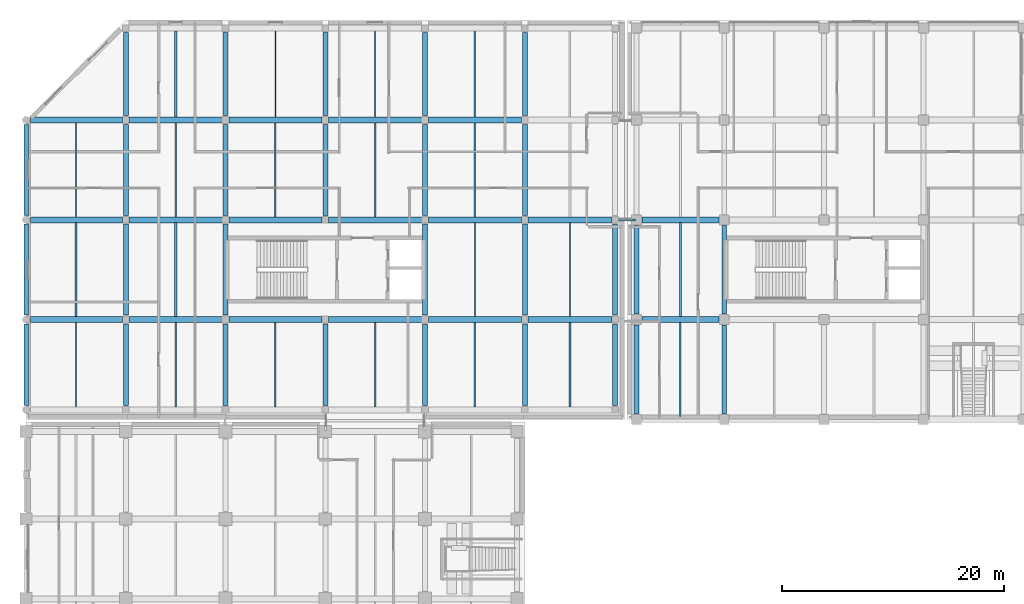
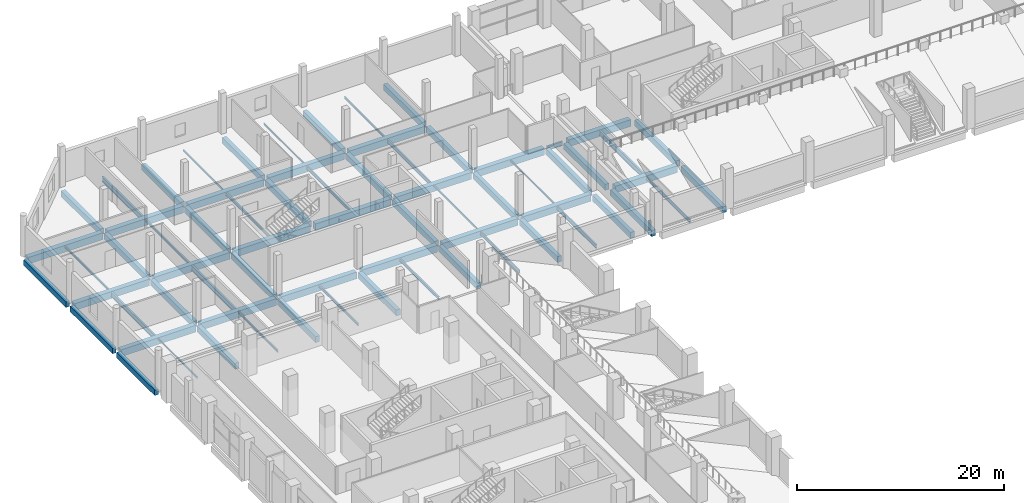
# One storey, part 28 of 100: 69 beams.
"""IFC4 building model written with IfcOpenShell, lengths in metres."""

from ifc_helpers import new_model, si_unit, direction, frame, origin, origin_2d, place, context, subcontext, project, spatial, rectangle, hollow_rectangle, i_section, extrude, material, material_profile, profile_set, type_object, element, save


model = new_model("IFC4")

# Units and contexts
model_context = context("Model", 3, precision=1e-05, world=origin(), true_north=direction((0.0, 1.0)))
body_context = subcontext(model_context, "Body", "Model", "MODEL_VIEW")
ifc_project = project(units=[si_unit("LENGTHUNIT", "METRE"), si_unit("AREAUNIT", "SQUARE_METRE"), si_unit("VOLUMEUNIT", "CUBIC_METRE"), si_unit("PLANEANGLEUNIT", "RADIAN"), si_unit("MASSUNIT", "GRAM", prefix="KILO"), si_unit("THERMODYNAMICTEMPERATUREUNIT", "KELVIN"), si_unit("POWERUNIT", "WATT")], contexts=[model_context])

# Site, building, storey
site_placement = place(None, origin())
site = spatial("IfcSite", under=ifc_project, at=site_placement, CompositionType="ELEMENT")
building_placement = place(site_placement, origin())
building = spatial("IfcBuilding", under=site, at=building_placement, Name="Sindhuravela Promenade Stadium", CompositionType="ELEMENT")
storey_placement = place(building_placement, frame((0.0, 0.0, 4.800048828125)))
storey = spatial("IfcBuildingStorey", under=building, at=storey_placement, Name="L01", CompositionType="ELEMENT", Elevation=4.800048828125)

# Beams
ifc_material_1 = material(Name="Concrete M40", Category="concrete")
ifc_material_profile_1 = material_profile(ifc_material_1, rectangle(XDim=0.39990234375, YDim=0.64990234375, at=origin_2d()), Name="RC 400x650")
ifc_profile_set_1 = profile_set([ifc_material_profile_1], Name="Concrete M40")
beam_type_1 = type_object("IfcBeamType", Name="RC-BM-400x650", PredefinedType="SPANDREL", material=ifc_profile_set_1)
beam_1_placement = place(storey_placement, frame((0.0, 127.239990234375, -0.625), z_axis=(0.0, 1.0, 0.0), x_axis=(-1.0, 0.0, 0.0)))
element("IfcBeam", 1, at=beam_1_placement, inside=storey, type_object=beam_type_1, Name="Primary beam SP01 Pavilion NW L01", PredefinedType="SPANDREL", context=body_context, shape_type="SweptSolid", body=[
    extrude(rectangle(XDim=0.39990234375, YDim=0.64990234375, at=origin_2d()), origin(), (0.0, 0.0, 1.0), 7.3701171875),
])
for number, where, z_axis, x_axis, name in (
    (2, (0.0, 135.389892578125, -0.625), (0.0, 1.0, 0.0), (-1.0, 0.0, 0.0), "Primary beam SP01 Pavilion NW L01"),
    (3, (0.0, 144.389892578125, -0.625), (0.0, 1.0, 0.0), (-1.0, 0.0, 0.0), "Primary beam SP01 Pavilion NW L01"),
):
    element("IfcBeam", number, at=place(storey_placement, frame(where, z_axis=z_axis, x_axis=x_axis)), inside=storey, type_object=beam_type_1, Name=name, PredefinedType="SPANDREL", context=body_context, shape_type="SweptSolid", body=[
        extrude(rectangle(XDim=0.39990234375, YDim=0.64990234375, at=origin_2d()), origin(), (0.0, 0.0, 1.0), 8.22021484375),
    ])
ifc_material_profile_2 = material_profile(ifc_material_1, rectangle(XDim=0.449951171875, YDim=0.699951171875, at=origin_2d()), Name="RC 450x700")
ifc_profile_set_2 = profile_set([ifc_material_profile_2], Name="Concrete M40")
beam_type_2 = type_object("IfcBeamType", Name="RC-BM-450x700", PredefinedType="BEAM", material=ifc_profile_set_2)
for number, where, z_axis, x_axis, name in (
    (4, (55.10009765625, 126.489990234375, -0.650146484375), (0.0, 1.0, 0.0), (-1.0, 0.0, 0.0), "Primary beam GB07 NORTH L01"),
    (5, (55.10009765625, 135.489990234375, -0.650146484375), (0.0, 1.0, 0.0), (-1.0, 0.0, 0.0), "Primary beam GB07 NORTH L01"),
    (6, (63.0, 126.489990234375, -0.650146484375), (0.0, 1.0, 0.0), (-1.0, 0.0, 0.0), "Primary beam GB07 NORTH L01"),
    (7, (63.0, 135.489990234375, -0.650146484375), (0.0, 1.0, 0.0), (-1.0, 0.0, 0.0), "Primary beam GB07 NORTH L01"),
):
    element("IfcBeam", number, at=place(storey_placement, frame(where, z_axis=z_axis, x_axis=x_axis)), inside=storey, type_object=beam_type_2, Name=name, PredefinedType="BEAM", context=body_context, shape_type="SweptSolid", body=[
        extrude(rectangle(XDim=0.449951171875, YDim=0.699951171875, at=origin_2d()), origin(), (0.0, 0.0, 1.0), 8.02001953125),
    ])
beam_2_placement = place(storey_placement, frame((9.0, 127.239990234375, -0.650146484375), z_axis=(0.0, 1.0, 0.0), x_axis=(-1.0, 0.0, 0.0)))
element("IfcBeam", 8, at=beam_2_placement, inside=storey, type_object=beam_type_2, Name="Primary beam GB07 Pavilion NW L01", PredefinedType="BEAM", context=body_context, shape_type="SweptSolid", body=[
    extrude(rectangle(XDim=0.449951171875, YDim=0.699951171875, at=origin_2d()), origin(), (0.0, 0.0, 1.0), 7.3701171875),
])
for number, where, z_axis, x_axis, name in (
    (9, (9.0, 135.389892578125, -0.650146484375), (0.0, 1.0, 0.0), (-1.0, 0.0, 0.0), "Primary beam GB07 Pavilion NW L01"),
    (10, (9.0, 144.389892578125, -0.650146484375), (0.0, 1.0, 0.0), (-1.0, 0.0, 0.0), "Primary beam GB07 Pavilion NW L01"),
):
    element("IfcBeam", number, at=place(storey_placement, frame(where, z_axis=z_axis, x_axis=x_axis)), inside=storey, type_object=beam_type_2, Name=name, PredefinedType="BEAM", context=body_context, shape_type="SweptSolid", body=[
        extrude(rectangle(XDim=0.449951171875, YDim=0.699951171875, at=origin_2d()), origin(), (0.0, 0.0, 1.0), 8.22021484375),
    ])
beam_3_placement = place(storey_placement, frame((9.0, 153.389892578125, -0.650146484375), z_axis=(0.0, 1.0, 0.0), x_axis=(-1.0, 0.0, 0.0)))
element("IfcBeam", 11, at=beam_3_placement, inside=storey, type_object=beam_type_2, Name="Primary beam GB07 Pavilion NW L01", PredefinedType="BEAM", context=body_context, shape_type="SweptSolid", body=[
    extrude(rectangle(XDim=0.449951171875, YDim=0.699951171875, at=origin_2d()), origin(), (0.0, 0.0, 1.0), 7.52001953125),
])
beam_4_placement = place(storey_placement, frame((18.0, 127.239990234375, -0.650146484375), z_axis=(0.0, 1.0, 0.0), x_axis=(-1.0, 0.0, 0.0)))
element("IfcBeam", 12, at=beam_4_placement, inside=storey, type_object=beam_type_2, Name="Primary beam GB07 Pavilion NW L01", PredefinedType="BEAM", context=body_context, shape_type="SweptSolid", body=[
    extrude(rectangle(XDim=0.449951171875, YDim=0.699951171875, at=origin_2d()), origin(), (0.0, 0.0, 1.0), 7.3701171875),
])
for number, where, z_axis, x_axis, name in (
    (13, (18.0, 135.389892578125, -0.650146484375), (0.0, 1.0, 0.0), (-1.0, 0.0, 0.0), "Primary beam GB07 Pavilion NW L01"),
    (14, (18.0, 144.389892578125, -0.650146484375), (0.0, 1.0, 0.0), (-1.0, 0.0, 0.0), "Primary beam GB07 Pavilion NW L01"),
):
    element("IfcBeam", number, at=place(storey_placement, frame(where, z_axis=z_axis, x_axis=x_axis)), inside=storey, type_object=beam_type_2, Name=name, PredefinedType="BEAM", context=body_context, shape_type="SweptSolid", body=[
        extrude(rectangle(XDim=0.449951171875, YDim=0.699951171875, at=origin_2d()), origin(), (0.0, 0.0, 1.0), 8.22021484375),
    ])
beam_5_placement = place(storey_placement, frame((18.0, 153.389892578125, -0.650146484375), z_axis=(0.0, 1.0, 0.0), x_axis=(-1.0, 0.0, 0.0)))
element("IfcBeam", 15, at=beam_5_placement, inside=storey, type_object=beam_type_2, Name="Primary beam GB07 Pavilion NW L01", PredefinedType="BEAM", context=body_context, shape_type="SweptSolid", body=[
    extrude(rectangle(XDim=0.449951171875, YDim=0.699951171875, at=origin_2d()), origin(), (0.0, 0.0, 1.0), 7.52001953125),
])
beam_6_placement = place(storey_placement, frame((27.0, 127.239990234375, -0.650146484375), z_axis=(0.0, 1.0, 0.0), x_axis=(-1.0, 0.0, 0.0)))
element("IfcBeam", 16, at=beam_6_placement, inside=storey, type_object=beam_type_2, Name="Primary beam GB07 Pavilion NW L01", PredefinedType="BEAM", context=body_context, shape_type="SweptSolid", body=[
    extrude(rectangle(XDim=0.449951171875, YDim=0.699951171875, at=origin_2d()), origin(), (0.0, 0.0, 1.0), 7.3701171875),
])
beam_7_placement = place(storey_placement, frame((27.0, 144.389892578125, -0.650146484375), z_axis=(0.0, 1.0, 0.0), x_axis=(-1.0, 0.0, 0.0)))
element("IfcBeam", 17, at=beam_7_placement, inside=storey, type_object=beam_type_2, Name="Primary beam GB07 Pavilion NW L01", PredefinedType="BEAM", context=body_context, shape_type="SweptSolid", body=[
    extrude(rectangle(XDim=0.449951171875, YDim=0.699951171875, at=origin_2d()), origin(), (0.0, 0.0, 1.0), 8.22021484375),
])
beam_8_placement = place(storey_placement, frame((27.0, 153.389892578125, -0.650146484375), z_axis=(0.0, 1.0, 0.0), x_axis=(-1.0, 0.0, 0.0)))
element("IfcBeam", 18, at=beam_8_placement, inside=storey, type_object=beam_type_2, Name="Primary beam GB07 Pavilion NW L01", PredefinedType="BEAM", context=body_context, shape_type="SweptSolid", body=[
    extrude(rectangle(XDim=0.449951171875, YDim=0.699951171875, at=origin_2d()), origin(), (0.0, 0.0, 1.0), 7.52001953125),
])
beam_9_placement = place(storey_placement, frame((36.0, 127.239990234375, -0.650146484375), z_axis=(0.0, 1.0, 0.0), x_axis=(-1.0, 0.0, 0.0)))
element("IfcBeam", 19, at=beam_9_placement, inside=storey, type_object=beam_type_2, Name="Primary beam GB07 Pavilion NW L01", PredefinedType="BEAM", context=body_context, shape_type="SweptSolid", body=[
    extrude(rectangle(XDim=0.449951171875, YDim=0.699951171875, at=origin_2d()), origin(), (0.0, 0.0, 1.0), 7.3701171875),
])
for number, where, z_axis, x_axis, name in (
    (20, (36.0, 135.389892578125, -0.650146484375), (0.0, 1.0, 0.0), (-1.0, 0.0, 0.0), "Primary beam GB07 Pavilion NW L01"),
    (21, (36.0, 144.389892578125, -0.650146484375), (0.0, 1.0, 0.0), (-1.0, 0.0, 0.0), "Primary beam GB07 Pavilion NW L01"),
):
    element("IfcBeam", number, at=place(storey_placement, frame(where, z_axis=z_axis, x_axis=x_axis)), inside=storey, type_object=beam_type_2, Name=name, PredefinedType="BEAM", context=body_context, shape_type="SweptSolid", body=[
        extrude(rectangle(XDim=0.449951171875, YDim=0.699951171875, at=origin_2d()), origin(), (0.0, 0.0, 1.0), 8.22021484375),
    ])
beam_10_placement = place(storey_placement, frame((36.0, 153.389892578125, -0.650146484375), z_axis=(0.0, 1.0, 0.0), x_axis=(-1.0, 0.0, 0.0)))
element("IfcBeam", 22, at=beam_10_placement, inside=storey, type_object=beam_type_2, Name="Primary beam GB07 Pavilion NW L01", PredefinedType="BEAM", context=body_context, shape_type="SweptSolid", body=[
    extrude(rectangle(XDim=0.449951171875, YDim=0.699951171875, at=origin_2d()), origin(), (0.0, 0.0, 1.0), 7.52001953125),
])
beam_11_placement = place(storey_placement, frame((45.0, 127.239990234375, -0.650146484375), z_axis=(0.0, 1.0, 0.0), x_axis=(-1.0, 0.0, 0.0)))
element("IfcBeam", 23, at=beam_11_placement, inside=storey, type_object=beam_type_2, Name="Primary beam GB07 Pavilion NW L01", PredefinedType="BEAM", context=body_context, shape_type="SweptSolid", body=[
    extrude(rectangle(XDim=0.449951171875, YDim=0.699951171875, at=origin_2d()), origin(), (0.0, 0.0, 1.0), 7.3701171875),
])
for number, where, z_axis, x_axis, name in (
    (24, (45.0, 135.389892578125, -0.650146484375), (0.0, 1.0, 0.0), (-1.0, 0.0, 0.0), "Primary beam GB07 Pavilion NW L01"),
    (25, (45.0, 144.389892578125, -0.650146484375), (0.0, 1.0, 0.0), (-1.0, 0.0, 0.0), "Primary beam GB07 Pavilion NW L01"),
):
    element("IfcBeam", number, at=place(storey_placement, frame(where, z_axis=z_axis, x_axis=x_axis)), inside=storey, type_object=beam_type_2, Name=name, PredefinedType="BEAM", context=body_context, shape_type="SweptSolid", body=[
        extrude(rectangle(XDim=0.449951171875, YDim=0.699951171875, at=origin_2d()), origin(), (0.0, 0.0, 1.0), 8.22021484375),
    ])
beam_12_placement = place(storey_placement, frame((45.0, 153.389892578125, -0.650146484375), z_axis=(0.0, 1.0, 0.0), x_axis=(-1.0, 0.0, 0.0)))
element("IfcBeam", 26, at=beam_12_placement, inside=storey, type_object=beam_type_2, Name="Primary beam GB07 Pavilion NW L01", PredefinedType="BEAM", context=body_context, shape_type="SweptSolid", body=[
    extrude(rectangle(XDim=0.449951171875, YDim=0.699951171875, at=origin_2d()), origin(), (0.0, 0.0, 1.0), 7.52001953125),
])
beam_13_placement = place(storey_placement, frame((53.14990234375, 127.239990234375, -0.650146484375), z_axis=(0.0, 1.0, 0.0), x_axis=(-1.0, 0.0, 0.0)))
element("IfcBeam", 27, at=beam_13_placement, inside=storey, type_object=beam_type_2, Name="Primary beam GB07 Pavilion NW L01", PredefinedType="BEAM", context=body_context, shape_type="SweptSolid", body=[
    extrude(rectangle(XDim=0.449951171875, YDim=0.699951171875, at=origin_2d()), origin(), (0.0, 0.0, 1.0), 7.3701171875),
])
beam_14_placement = place(storey_placement, frame((53.14990234375, 135.389892578125, -0.650146484375), z_axis=(0.0, 1.0, 0.0), x_axis=(-1.0, 0.0, 0.0)))
element("IfcBeam", 28, at=beam_14_placement, inside=storey, type_object=beam_type_2, Name="Primary beam GB07 Pavilion NW L01", PredefinedType="BEAM", context=body_context, shape_type="SweptSolid", body=[
    extrude(rectangle(XDim=0.449951171875, YDim=0.699951171875, at=origin_2d()), origin(), (0.0, 0.0, 1.0), 8.22021484375),
])
ifc_material_profile_3 = material_profile(ifc_material_1, rectangle(XDim=0.550048828125, YDim=0.800048828125, at=origin_2d()), Name="RC 550x800")
ifc_profile_set_3 = profile_set([ifc_material_profile_3], Name="Concrete M40")
beam_type_3 = type_object("IfcBeamType", Name="RC-BM-550x800", PredefinedType="BEAM", material=ifc_profile_set_3)
for number, where, z_axis, x_axis, name in (
    (29, (55.590087890625, 135.0, -0.699951171875), (1.0, 0.0, 0.0), (0.0, 1.0, 0.0), "Primary girder GB05 NORTH L01"),
    (30, (55.590087890625, 144.0, -0.699951171875), (1.0, 0.0, 0.0), (0.0, 1.0, 0.0), "Primary girder GB05 NORTH L01"),
):
    element("IfcBeam", number, at=place(storey_placement, frame(where, z_axis=z_axis, x_axis=x_axis)), inside=storey, type_object=beam_type_3, Name=name, PredefinedType="BEAM", context=body_context, shape_type="SweptSolid", body=[
        extrude(rectangle(XDim=0.550048828125, YDim=0.800048828125, at=origin_2d()), origin(), (0.0, 0.0, 1.0), 6.919921875),
    ])
beam_15_placement = place(storey_placement, frame((0.389892578125, 135.0, -0.699951171875), z_axis=(1.0, 0.0, 0.0), x_axis=(0.0, 1.0, 0.0)))
element("IfcBeam", 31, at=beam_15_placement, inside=storey, type_object=beam_type_3, Name="Primary girder GB05 Pavilion NW L01", PredefinedType="BEAM", context=body_context, shape_type="SweptSolid", body=[
    extrude(rectangle(XDim=0.550048828125, YDim=0.800048828125, at=origin_2d()), origin(), (0.0, 0.0, 1.0), 8.320068359375),
])
for number, where, z_axis, x_axis, name in (
    (32, (9.2900390625, 135.0, -0.699951171875), (1.0, 0.0, 0.0), (0.0, 1.0, 0.0), "Primary girder GB05 Pavilion NW L01"),
    (33, (18.2900390625, 135.0, -0.699951171875), (1.0, 0.0, 0.0), (0.0, 1.0, 0.0), "Primary girder GB05 Pavilion NW L01"),
    (34, (27.2900390625, 135.0, -0.699951171875), (1.0, 0.0, 0.0), (0.0, 1.0, 0.0), "Primary girder GB05 Pavilion NW L01"),
    (35, (36.2900390625, 135.0, -0.699951171875), (1.0, 0.0, 0.0), (0.0, 1.0, 0.0), "Primary girder GB05 Pavilion NW L01"),
):
    element("IfcBeam", number, at=place(storey_placement, frame(where, z_axis=z_axis, x_axis=x_axis)), inside=storey, type_object=beam_type_3, Name=name, PredefinedType="BEAM", context=body_context, shape_type="SweptSolid", body=[
        extrude(rectangle(XDim=0.550048828125, YDim=0.800048828125, at=origin_2d()), origin(), (0.0, 0.0, 1.0), 8.419921875),
    ])
beam_16_placement = place(storey_placement, frame((45.2900390625, 135.0, -0.699951171875), z_axis=(1.0, 0.0, 0.0), x_axis=(0.0, 1.0, 0.0)))
element("IfcBeam", 36, at=beam_16_placement, inside=storey, type_object=beam_type_3, Name="Primary girder GB05 Pavilion NW L01", PredefinedType="BEAM", context=body_context, shape_type="SweptSolid", body=[
    extrude(rectangle(XDim=0.550048828125, YDim=0.800048828125, at=origin_2d()), origin(), (0.0, 0.0, 1.0), 7.570068359375),
])
beam_17_placement = place(storey_placement, frame((0.389892578125, 144.0, -0.699951171875), z_axis=(1.0, 0.0, 0.0), x_axis=(0.0, 1.0, 0.0)))
element("IfcBeam", 37, at=beam_17_placement, inside=storey, type_object=beam_type_3, Name="Primary girder GB05 Pavilion NW L01", PredefinedType="BEAM", context=body_context, shape_type="SweptSolid", body=[
    extrude(rectangle(XDim=0.550048828125, YDim=0.800048828125, at=origin_2d()), origin(), (0.0, 0.0, 1.0), 8.320068359375),
])
for number, where, z_axis, x_axis, name in (
    (38, (9.2900390625, 144.0, -0.699951171875), (1.0, 0.0, 0.0), (0.0, 1.0, 0.0), "Primary girder GB05 Pavilion NW L01"),
    (39, (18.2900390625, 144.0, -0.699951171875), (1.0, 0.0, 0.0), (0.0, 1.0, 0.0), "Primary girder GB05 Pavilion NW L01"),
    (40, (27.2900390625, 144.0, -0.699951171875), (1.0, 0.0, 0.0), (0.0, 1.0, 0.0), "Primary girder GB05 Pavilion NW L01"),
    (41, (36.2900390625, 144.0, -0.699951171875), (1.0, 0.0, 0.0), (0.0, 1.0, 0.0), "Primary girder GB05 Pavilion NW L01"),
):
    element("IfcBeam", number, at=place(storey_placement, frame(where, z_axis=z_axis, x_axis=x_axis)), inside=storey, type_object=beam_type_3, Name=name, PredefinedType="BEAM", context=body_context, shape_type="SweptSolid", body=[
        extrude(rectangle(XDim=0.550048828125, YDim=0.800048828125, at=origin_2d()), origin(), (0.0, 0.0, 1.0), 8.419921875),
    ])
beam_18_placement = place(storey_placement, frame((45.2900390625, 144.0, -0.699951171875), z_axis=(1.0, 0.0, 0.0), x_axis=(0.0, 1.0, 0.0)))
element("IfcBeam", 42, at=beam_18_placement, inside=storey, type_object=beam_type_3, Name="Primary girder GB05 Pavilion NW L01", PredefinedType="BEAM", context=body_context, shape_type="SweptSolid", body=[
    extrude(rectangle(XDim=0.550048828125, YDim=0.800048828125, at=origin_2d()), origin(), (0.0, 0.0, 1.0), 7.570068359375),
])
beam_19_placement = place(storey_placement, frame((0.389892578125, 153.0, -0.699951171875), z_axis=(1.0, 0.0, 0.0), x_axis=(0.0, 1.0, 0.0)))
element("IfcBeam", 43, at=beam_19_placement, inside=storey, type_object=beam_type_3, Name="Primary girder GB05 Pavilion NW L01", PredefinedType="BEAM", context=body_context, shape_type="SweptSolid", body=[
    extrude(rectangle(XDim=0.550048828125, YDim=0.800048828125, at=origin_2d()), origin(), (0.0, 0.0, 1.0), 8.320068359375),
])
for number, where, z_axis, x_axis, name in (
    (44, (9.2900390625, 153.0, -0.699951171875), (1.0, 0.0, 0.0), (0.0, 1.0, 0.0), "Primary girder GB05 Pavilion NW L01"),
    (45, (18.2900390625, 153.0, -0.699951171875), (1.0, 0.0, 0.0), (0.0, 1.0, 0.0), "Primary girder GB05 Pavilion NW L01"),
    (46, (27.2900390625, 153.0, -0.699951171875), (1.0, 0.0, 0.0), (0.0, 1.0, 0.0), "Primary girder GB05 Pavilion NW L01"),
    (47, (36.2900390625, 153.0, -0.699951171875), (1.0, 0.0, 0.0), (0.0, 1.0, 0.0), "Primary girder GB05 Pavilion NW L01"),
):
    element("IfcBeam", number, at=place(storey_placement, frame(where, z_axis=z_axis, x_axis=x_axis)), inside=storey, type_object=beam_type_3, Name=name, PredefinedType="BEAM", context=body_context, shape_type="SweptSolid", body=[
        extrude(rectangle(XDim=0.550048828125, YDim=0.800048828125, at=origin_2d()), origin(), (0.0, 0.0, 1.0), 8.419921875),
    ])
ifc_material_2 = material(Name="Steel E350 (IS 2062 E350BR)", Category="steel")
ifc_material_profile_4 = material_profile(ifc_material_2, hollow_rectangle(XDim=0.10009765625, YDim=0.199951171875, WallThickness=0.008056640625, at=origin_2d()), Name="RHS 200x100x8")
ifc_profile_set_4 = profile_set([ifc_material_profile_4], Name="Steel E350 (IS 2062 E350BR)")
beam_type_4 = type_object("IfcBeamType", Name="ST-BM-LNT200", PredefinedType="LINTEL", material=ifc_profile_set_4)
beam_20_placement = place(storey_placement, frame((40.5, 135.264892578125, -0.400146484375), z_axis=(0.0, 1.0, 0.0), x_axis=(-1.0, 0.0, 0.0)))
element("IfcBeam", 48, at=beam_20_placement, inside=storey, type_object=beam_type_4, Name="Secondary floor joist LN01 Pavilion NW L01", PredefinedType="LINTEL", context=body_context, shape_type="SweptSolid", body=[
    extrude(hollow_rectangle(XDim=0.10009765625, YDim=0.199951171875, WallThickness=0.008056640625, at=origin_2d()), origin(), (0.0, 0.0, 1.0), 8.47021484375),
])
beam_21_placement = place(storey_placement, frame((22.5, 153.264892578125, -0.400146484375), z_axis=(0.0, 1.0, 0.0), x_axis=(-1.0, 0.0, 0.0)))
element("IfcBeam", 49, at=beam_21_placement, inside=storey, type_object=beam_type_4, Name="Secondary floor joist LN01 Pavilion NW L01", PredefinedType="LINTEL", context=body_context, shape_type="SweptSolid", body=[
    extrude(hollow_rectangle(XDim=0.10009765625, YDim=0.199951171875, WallThickness=0.008056640625, at=origin_2d()), origin(), (0.0, 0.0, 1.0), 7.77001953125),
])
ifc_material_profile_5 = material_profile(ifc_material_2, i_section(OverallWidth=0.10009765625, OverallDepth=0.199951171875, WebThickness=0.005615234375, FlangeThickness=0.0107421875, FilletRadius=0.010986328125, at=origin_2d()), Name="ISMB 200")
ifc_profile_set_5 = profile_set([ifc_material_profile_5], Name="Steel E350 (IS 2062 E350BR)")
beam_type_5 = type_object("IfcBeamType", Name="ST-BM-MB200", PredefinedType="JOIST", material=ifc_profile_set_5)
beam_22_placement = place(storey_placement, frame((4.5, 127.114990234375, -0.400146484375), z_axis=(0.0, 1.0, 0.0), x_axis=(-1.0, 0.0, 0.0)))
element("IfcBeam", 50, at=beam_22_placement, inside=storey, type_object=beam_type_5, Name="Secondary floor joist SB01 Pavilion NW L01", PredefinedType="JOIST", context=body_context, shape_type="SweptSolid", body=[
    extrude(i_section(OverallWidth=0.10009765625, OverallDepth=0.199951171875, WebThickness=0.005615234375, FlangeThickness=0.0107421875, FilletRadius=0.010986328125, at=origin_2d()), origin(), (0.0, 0.0, 1.0), 7.6201171875),
])
beam_23_placement = place(storey_placement, frame((49.074951171875, 135.264892578125, -0.400146484375), z_axis=(0.0, 1.0, 0.0), x_axis=(-1.0, 0.0, 0.0)))
element("IfcBeam", 51, at=beam_23_placement, inside=storey, type_object=beam_type_5, Name="Secondary floor joist SB01 Pavilion NW L01", PredefinedType="JOIST", context=body_context, shape_type="SweptSolid", body=[
    extrude(i_section(OverallWidth=0.10009765625, OverallDepth=0.199951171875, WebThickness=0.005615234375, FlangeThickness=0.0107421875, FilletRadius=0.010986328125, at=origin_2d()), origin(), (0.0, 0.0, 1.0), 8.47021484375),
])
beam_24_placement = place(storey_placement, frame((31.5, 153.264892578125, -0.400146484375), z_axis=(0.0, 1.0, 0.0), x_axis=(-1.0, 0.0, 0.0)))
element("IfcBeam", 52, at=beam_24_placement, inside=storey, type_object=beam_type_5, Name="Secondary floor joist SB01 Pavilion NW L01", PredefinedType="JOIST", context=body_context, shape_type="SweptSolid", body=[
    extrude(i_section(OverallWidth=0.10009765625, OverallDepth=0.199951171875, WebThickness=0.005615234375, FlangeThickness=0.0107421875, FilletRadius=0.010986328125, at=origin_2d()), origin(), (0.0, 0.0, 1.0), 7.77001953125),
])
ifc_material_profile_6 = material_profile(ifc_material_2, i_section(OverallWidth=0.125, OverallDepth=0.25, WebThickness=0.0068359375, FlangeThickness=0.012451171875, FilletRadius=0.012939453125, at=origin_2d()), Name="ISMB 250")
ifc_profile_set_6 = profile_set([ifc_material_profile_6], Name="Steel E350 (IS 2062 E350BR)")
beam_type_6 = type_object("IfcBeamType", Name="ST-BM-MB250", PredefinedType="JOIST", material=ifc_profile_set_6)
beam_25_placement = place(storey_placement, frame((13.5, 127.114990234375, -0.425048828125), z_axis=(0.0, 1.0, 0.0), x_axis=(-1.0, 0.0, 0.0)))
element("IfcBeam", 53, at=beam_25_placement, inside=storey, type_object=beam_type_6, Name="Secondary floor joist SB02 Pavilion NW L01", PredefinedType="JOIST", context=body_context, shape_type="SweptSolid", body=[
    extrude(i_section(OverallWidth=0.125, OverallDepth=0.25, WebThickness=0.0068359375, FlangeThickness=0.012451171875, FilletRadius=0.012939453125, at=origin_2d()), origin(), (0.0, 0.0, 1.0), 7.6201171875),
])
beam_26_placement = place(storey_placement, frame((4.5, 144.264892578125, -0.425048828125), z_axis=(0.0, 1.0, 0.0), x_axis=(-1.0, 0.0, 0.0)))
element("IfcBeam", 54, at=beam_26_placement, inside=storey, type_object=beam_type_6, Name="Secondary floor joist SB02 Pavilion NW L01", PredefinedType="JOIST", context=body_context, shape_type="SweptSolid", body=[
    extrude(i_section(OverallWidth=0.125, OverallDepth=0.25, WebThickness=0.0068359375, FlangeThickness=0.012451171875, FilletRadius=0.012939453125, at=origin_2d()), origin(), (0.0, 0.0, 1.0), 8.47021484375),
])
beam_27_placement = place(storey_placement, frame((40.5, 153.264892578125, -0.425048828125), z_axis=(0.0, 1.0, 0.0), x_axis=(-1.0, 0.0, 0.0)))
element("IfcBeam", 55, at=beam_27_placement, inside=storey, type_object=beam_type_6, Name="Secondary floor joist SB02 Pavilion NW L01", PredefinedType="JOIST", context=body_context, shape_type="SweptSolid", body=[
    extrude(i_section(OverallWidth=0.125, OverallDepth=0.25, WebThickness=0.0068359375, FlangeThickness=0.012451171875, FilletRadius=0.012939453125, at=origin_2d()), origin(), (0.0, 0.0, 1.0), 7.77001953125),
])
ifc_material_profile_7 = material_profile(ifc_material_2, i_section(OverallWidth=0.139892578125, OverallDepth=0.300048828125, WebThickness=0.0078125, FlangeThickness=0.01318359375, FilletRadius=0.013916015625, at=origin_2d()), Name="ISMB 300")
ifc_profile_set_7 = profile_set([ifc_material_profile_7], Name="Steel E350 (IS 2062 E350BR)")
beam_type_7 = type_object("IfcBeamType", Name="ST-BM-MB300", PredefinedType="JOIST", material=ifc_profile_set_7)
beam_28_placement = place(storey_placement, frame((22.5, 127.114990234375, -0.449951171875), z_axis=(0.0, 1.0, 0.0), x_axis=(-1.0, 0.0, 0.0)))
element("IfcBeam", 56, at=beam_28_placement, inside=storey, type_object=beam_type_7, Name="Secondary floor joist SB03 Pavilion NW L01", PredefinedType="JOIST", context=body_context, shape_type="SweptSolid", body=[
    extrude(i_section(OverallWidth=0.139892578125, OverallDepth=0.300048828125, WebThickness=0.0078125, FlangeThickness=0.01318359375, FilletRadius=0.013916015625, at=origin_2d()), origin(), (0.0, 0.0, 1.0), 7.6201171875),
])
beam_29_placement = place(storey_placement, frame((13.5, 144.264892578125, -0.449951171875), z_axis=(0.0, 1.0, 0.0), x_axis=(-1.0, 0.0, 0.0)))
element("IfcBeam", 57, at=beam_29_placement, inside=storey, type_object=beam_type_7, Name="Secondary floor joist SB03 Pavilion NW L01", PredefinedType="JOIST", context=body_context, shape_type="SweptSolid", body=[
    extrude(i_section(OverallWidth=0.139892578125, OverallDepth=0.300048828125, WebThickness=0.0078125, FlangeThickness=0.01318359375, FilletRadius=0.013916015625, at=origin_2d()), origin(), (0.0, 0.0, 1.0), 8.47021484375),
])
ifc_material_profile_8 = material_profile(ifc_material_2, i_section(OverallWidth=0.139892578125, OverallDepth=0.35009765625, WebThickness=0.008056640625, FlangeThickness=0.01416015625, FilletRadius=0.013916015625, at=origin_2d()), Name="ISMB 350")
ifc_profile_set_8 = profile_set([ifc_material_profile_8], Name="Steel E350 (IS 2062 E350BR)")
beam_type_8 = type_object("IfcBeamType", Name="ST-BM-MB350", PredefinedType="JOIST", material=ifc_profile_set_8)
beam_30_placement = place(storey_placement, frame((31.5, 127.114990234375, -0.47509765625), z_axis=(0.0, 1.0, 0.0), x_axis=(-1.0, 0.0, 0.0)))
element("IfcBeam", 58, at=beam_30_placement, inside=storey, type_object=beam_type_8, Name="Secondary floor joist SB04 Pavilion NW L01", PredefinedType="JOIST", context=body_context, shape_type="SweptSolid", body=[
    extrude(i_section(OverallWidth=0.139892578125, OverallDepth=0.35009765625, WebThickness=0.008056640625, FlangeThickness=0.01416015625, FilletRadius=0.013916015625, at=origin_2d()), origin(), (0.0, 0.0, 1.0), 7.6201171875),
])
beam_31_placement = place(storey_placement, frame((22.5, 144.264892578125, -0.47509765625), z_axis=(0.0, 1.0, 0.0), x_axis=(-1.0, 0.0, 0.0)))
element("IfcBeam", 59, at=beam_31_placement, inside=storey, type_object=beam_type_8, Name="Secondary floor joist SB04 Pavilion NW L01", PredefinedType="JOIST", context=body_context, shape_type="SweptSolid", body=[
    extrude(i_section(OverallWidth=0.139892578125, OverallDepth=0.35009765625, WebThickness=0.008056640625, FlangeThickness=0.01416015625, FilletRadius=0.013916015625, at=origin_2d()), origin(), (0.0, 0.0, 1.0), 8.47021484375),
])
ifc_material_profile_9 = material_profile(ifc_material_2, i_section(OverallWidth=0.139892578125, OverallDepth=0.39990234375, WebThickness=0.0087890625, FlangeThickness=0.01611328125, FilletRadius=0.013916015625, at=origin_2d()), Name="ISMB 400")
ifc_profile_set_9 = profile_set([ifc_material_profile_9], Name="Steel E350 (IS 2062 E350BR)")
beam_type_9 = type_object("IfcBeamType", Name="ST-BM-MB400", PredefinedType="BEAM", material=ifc_profile_set_9)
beam_32_placement = place(storey_placement, frame((59.050048828125, 126.264892578125, -0.5), z_axis=(0.0, 1.0, 0.0), x_axis=(-1.0, 0.0, 0.0)))
element("IfcBeam", 60, at=beam_32_placement, inside=storey, type_object=beam_type_9, Name="Secondary floor joist SB05 NORTH L01", PredefinedType="BEAM", context=body_context, shape_type="SweptSolid", body=[
    extrude(i_section(OverallWidth=0.139892578125, OverallDepth=0.39990234375, WebThickness=0.0087890625, FlangeThickness=0.01611328125, FilletRadius=0.013916015625, at=origin_2d()), origin(), (0.0, 0.0, 1.0), 8.47021484375),
])
beam_33_placement = place(storey_placement, frame((40.5, 127.114990234375, -0.5), z_axis=(0.0, 1.0, 0.0), x_axis=(-1.0, 0.0, 0.0)))
element("IfcBeam", 61, at=beam_33_placement, inside=storey, type_object=beam_type_9, Name="Secondary floor joist SB05 Pavilion NW L01", PredefinedType="BEAM", context=body_context, shape_type="SweptSolid", body=[
    extrude(i_section(OverallWidth=0.139892578125, OverallDepth=0.39990234375, WebThickness=0.0087890625, FlangeThickness=0.01611328125, FilletRadius=0.013916015625, at=origin_2d()), origin(), (0.0, 0.0, 1.0), 7.6201171875),
])
beam_34_placement = place(storey_placement, frame((31.5, 144.264892578125, -0.5), z_axis=(0.0, 1.0, 0.0), x_axis=(-1.0, 0.0, 0.0)))
element("IfcBeam", 62, at=beam_34_placement, inside=storey, type_object=beam_type_9, Name="Secondary floor joist SB05 Pavilion NW L01", PredefinedType="BEAM", context=body_context, shape_type="SweptSolid", body=[
    extrude(i_section(OverallWidth=0.139892578125, OverallDepth=0.39990234375, WebThickness=0.0087890625, FlangeThickness=0.01611328125, FilletRadius=0.013916015625, at=origin_2d()), origin(), (0.0, 0.0, 1.0), 8.47021484375),
])
ifc_material_profile_10 = material_profile(ifc_material_2, i_section(OverallWidth=0.14990234375, OverallDepth=0.449951171875, WebThickness=0.009521484375, FlangeThickness=0.017333984375, FilletRadius=0.014892578125, at=origin_2d()), Name="ISMB 450")
ifc_profile_set_10 = profile_set([ifc_material_profile_10], Name="Steel E350 (IS 2062 E350BR)")
beam_type_10 = type_object("IfcBeamType", Name="ST-BM-MB450", PredefinedType="BEAM", material=ifc_profile_set_10)
beam_35_placement = place(storey_placement, frame((49.074951171875, 127.114990234375, -0.525146484375), z_axis=(0.0, 1.0, 0.0), x_axis=(-1.0, 0.0, 0.0)))
element("IfcBeam", 63, at=beam_35_placement, inside=storey, type_object=beam_type_10, Name="Secondary floor joist SB06 Pavilion NW L01", PredefinedType="BEAM", context=body_context, shape_type="SweptSolid", body=[
    extrude(i_section(OverallWidth=0.14990234375, OverallDepth=0.449951171875, WebThickness=0.009521484375, FlangeThickness=0.017333984375, FilletRadius=0.014892578125, at=origin_2d()), origin(), (0.0, 0.0, 1.0), 7.6201171875),
])
beam_36_placement = place(storey_placement, frame((40.5, 144.264892578125, -0.525146484375), z_axis=(0.0, 1.0, 0.0), x_axis=(-1.0, 0.0, 0.0)))
element("IfcBeam", 64, at=beam_36_placement, inside=storey, type_object=beam_type_10, Name="Secondary floor joist SB06 Pavilion NW L01", PredefinedType="BEAM", context=body_context, shape_type="SweptSolid", body=[
    extrude(i_section(OverallWidth=0.14990234375, OverallDepth=0.449951171875, WebThickness=0.009521484375, FlangeThickness=0.017333984375, FilletRadius=0.014892578125, at=origin_2d()), origin(), (0.0, 0.0, 1.0), 8.47021484375),
])
ifc_material_profile_11 = material_profile(ifc_material_2, i_section(OverallWidth=0.179931640625, OverallDepth=0.5, WebThickness=0.01025390625, FlangeThickness=0.01708984375, FilletRadius=0.01708984375, at=origin_2d()), Name="ISMB 500")
ifc_profile_set_11 = profile_set([ifc_material_profile_11], Name="Steel E350 (IS 2062 E350BR)")
beam_type_11 = type_object("IfcBeamType", Name="ST-BM-MB500", PredefinedType="BEAM", material=ifc_profile_set_11)
beam_37_placement = place(storey_placement, frame((53.25, 144.0, -0.610107421875), z_axis=(1.0, 0.0, 0.0), x_axis=(0.0, 1.0, 0.0)))
element("IfcBeam", 65, at=beam_37_placement, inside=storey, type_object=beam_type_11, Name="Concourse link bridge L01 North-NW PTFE sliding girder B", PredefinedType="BEAM", context=body_context, shape_type="SweptSolid", body=[
    extrude(i_section(OverallWidth=0.179931640625, OverallDepth=0.5, WebThickness=0.01025390625, FlangeThickness=0.01708984375, FilletRadius=0.01708984375, at=origin_2d()), origin(), (0.0, 0.0, 1.0), 1.75),
])
ifc_material_profile_12 = material_profile(ifc_material_2, i_section(OverallWidth=0.18994140625, OverallDepth=0.550048828125, WebThickness=0.01123046875, FlangeThickness=0.019287109375, FilletRadius=0.01806640625, at=origin_2d()), Name="ISMB 550")
ifc_profile_set_12 = profile_set([ifc_material_profile_12], Name="Steel E350 (IS 2062 E350BR)")
beam_type_12 = type_object("IfcBeamType", Name="ST-BM-MB550", PredefinedType="SPANDREL", material=ifc_profile_set_12)
beam_38_placement = place(storey_placement, frame((4.5, 135.264892578125, -0.574951171875), z_axis=(0.0, 1.0, 0.0), x_axis=(-1.0, 0.0, 0.0)))
element("IfcBeam", 66, at=beam_38_placement, inside=storey, type_object=beam_type_12, Name="Secondary floor joist SB08 Pavilion NW L01", PredefinedType="SPANDREL", context=body_context, shape_type="SweptSolid", body=[
    extrude(i_section(OverallWidth=0.18994140625, OverallDepth=0.550048828125, WebThickness=0.01123046875, FlangeThickness=0.019287109375, FilletRadius=0.01806640625, at=origin_2d()), origin(), (0.0, 0.0, 1.0), 8.47021484375),
])
ifc_material_profile_13 = material_profile(ifc_material_2, i_section(OverallWidth=0.2099609375, OverallDepth=0.60009765625, WebThickness=0.011962890625, FlangeThickness=0.020751953125, FilletRadius=0.02001953125, at=origin_2d()), Name="ISMB 600")
ifc_profile_set_13 = profile_set([ifc_material_profile_13], Name="Steel E350 (IS 2062 E350BR)")
beam_type_13 = type_object("IfcBeamType", Name="ST-BM-MB600", PredefinedType="BEAM", material=ifc_profile_set_13)
for number, where, z_axis, x_axis, name in (
    (67, (59.050048828125, 135.264892578125, -0.60009765625), (0.0, 1.0, 0.0), (-1.0, 0.0, 0.0), "Secondary floor joist SB09 NORTH L01"),
    (68, (13.5, 135.264892578125, -0.60009765625), (0.0, 1.0, 0.0), (-1.0, 0.0, 0.0), "Secondary floor joist SB09 Pavilion NW L01"),
):
    element("IfcBeam", number, at=place(storey_placement, frame(where, z_axis=z_axis, x_axis=x_axis)), inside=storey, type_object=beam_type_13, Name=name, PredefinedType="BEAM", context=body_context, shape_type="SweptSolid", body=[
        extrude(i_section(OverallWidth=0.2099609375, OverallDepth=0.60009765625, WebThickness=0.011962890625, FlangeThickness=0.020751953125, FilletRadius=0.02001953125, at=origin_2d()), origin(), (0.0, 0.0, 1.0), 8.47021484375),
    ])
beam_39_placement = place(storey_placement, frame((13.5, 153.264892578125, -0.60009765625), z_axis=(0.0, 1.0, 0.0), x_axis=(-1.0, 0.0, 0.0)))
element("IfcBeam", 69, at=beam_39_placement, inside=storey, type_object=beam_type_13, Name="Secondary floor joist SB09 Pavilion NW L01", PredefinedType="BEAM", context=body_context, shape_type="SweptSolid", body=[
    extrude(i_section(OverallWidth=0.2099609375, OverallDepth=0.60009765625, WebThickness=0.011962890625, FlangeThickness=0.020751953125, FilletRadius=0.02001953125, at=origin_2d()), origin(), (0.0, 0.0, 1.0), 7.77001953125),
])

save(model, "model.ifc")
